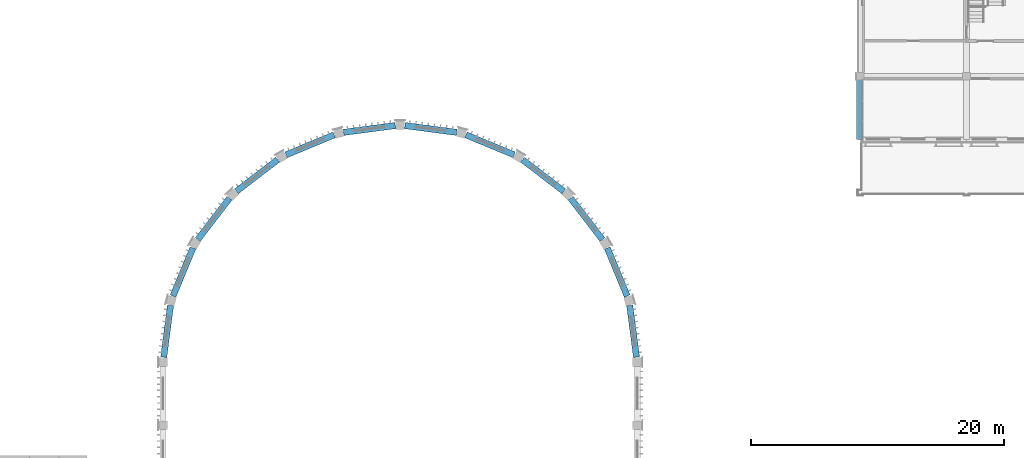
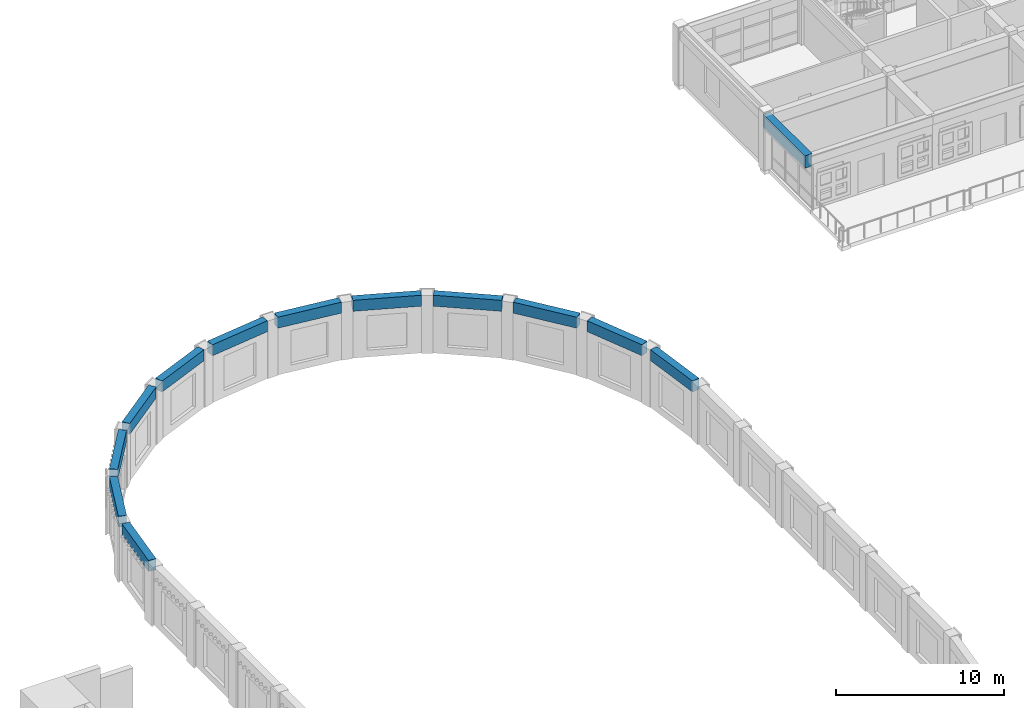
# One storey, part 15 of 71: 13 beams.
"""IFC4 building model written with IfcOpenShell, lengths in metres."""

from ifc_helpers import new_model, si_unit, direction, frame, origin, origin_2d, place, context, subcontext, project, spatial, rectangle, extrude, material, material_profile, profile_set, type_object, element, save


model = new_model("IFC4")

# Units and contexts
model_context = context("Model", 3, precision=1e-05, world=origin(), true_north=direction((0.0, 1.0)))
body_context = subcontext(model_context, "Body", "Model", "MODEL_VIEW")
ifc_project = project(units=[si_unit("LENGTHUNIT", "METRE"), si_unit("AREAUNIT", "SQUARE_METRE"), si_unit("VOLUMEUNIT", "CUBIC_METRE"), si_unit("PLANEANGLEUNIT", "RADIAN"), si_unit("MASSUNIT", "GRAM", prefix="KILO")], contexts=[model_context])

# Site, building, storey
site_placement = place(None, origin())
site = spatial("IfcSite", under=ifc_project, at=site_placement, CompositionType="ELEMENT")
building_placement = place(site_placement, origin())
building = spatial("IfcBuilding", under=site, at=building_placement, Name="Wasatch Bagh Community Centre", CompositionType="ELEMENT")
storey_placement = place(building_placement, frame((0.0, 0.0, 12.60009765625)))
storey = spatial("IfcBuildingStorey", under=building, at=storey_placement, Name="L03", CompositionType="ELEMENT", Elevation=12.60009765625)

# Beams
ifc_material = material(Name="Concrete C35", Category="concrete")
ifc_material_profile_1 = material_profile(ifc_material, rectangle(XDim=0.5, YDim=0.89990234375, at=origin_2d()), Name="RC 500x900")
ifc_profile_set_1 = profile_set([ifc_material_profile_1], Name="Concrete C35")
beam_type_1 = type_object("IfcBeamType", Name="LW RC 500x900", PredefinedType="BEAM", material=ifc_profile_set_1)
beam_placement = place(storey_placement, frame((72.39990234375, 87.60009765625, 3.469970703125), z_axis=(0.0, -1.0, 0.0), x_axis=(1.0, 0.0, 0.0)))
element("IfcBeam", 1, at=beam_placement, inside=storey, type_object=beam_type_1, Name="W2M-tip", PredefinedType="BEAM", context=body_context, shape_type="SweptSolid", body=[
    extrude(rectangle(XDim=0.5, YDim=0.89990234375, at=origin_2d()), origin(), (0.0, 0.0, 1.0), 5.0),
])
ifc_material_profile_2 = material_profile(ifc_material, rectangle(XDim=0.5, YDim=0.800048828125, at=origin_2d()), Name="RC 500x800")
ifc_profile_set_2 = profile_set([ifc_material_profile_2], Name="Concrete C35")
beam_type_2 = type_object("IfcBeamType", Name="MH ring beam RC 500x800", PredefinedType="BEAM", material=ifc_profile_set_2)
for number, where, z_axis, x_axis, name in (
    (2, (54.699462890625, 65.383056640625, 3.7998046875), (-0.130483623501, 0.991450464722, 0.0), (-0.991450464722, -0.130483623501, 0.0), "Ring beam 16.8 E7-N1"),
    (3, (53.963134765625, 70.2099609375, 3.7998046875), (-0.382688328955, 0.923877504262, 0.0), (-0.923877504262, -0.382688328955, 0.0), "Ring beam 16.8 N1-N2"),
    (4, (52.002685546875, 74.681640625, 3.7998046875), (-0.60877717335, 0.793341258985, 0.0), (-0.793341258985, -0.60877717335, 0.0), "Ring beam 16.8 N2-N3"),
    (5, (48.95166015625, 78.493408203125, 3.7998046875), (-0.793341258985, 0.60877717335, 0.0), (-0.60877717335, -0.793341258985, 0.0), "Ring beam 16.8 N3-N4"),
    (6, (45.01806640625, 81.3857421875, 3.7998046875), (-0.923877504262, 0.382688328955, 0.0), (-0.382688328955, -0.923877504262, 0.0), "Ring beam 16.8 N4-N5"),
    (7, (40.4697265625, 83.16162109375, 3.7998046875), (-0.991450464722, 0.130483623501, 0.0), (-0.130483623501, -0.991450464722, 0.0), "Ring beam 16.8 N5-N6"),
    (8, (35.616943359375, 83.699462890625, 3.7998046875), (-0.991450464722, -0.130483623501, 0.0), (0.130483623501, -0.991450464722, 0.0), "Ring beam 16.8 N6-N7"),
    (9, (30.7900390625, 82.963134765625, 3.7998046875), (-0.923877504262, -0.382688328955, 0.0), (0.382688328955, -0.923877504262, 0.0), "Ring beam 16.8 N7-N8"),
    (10, (26.318359375, 81.002685546875, 3.7998046875), (-0.793341258985, -0.60877717335, 0.0), (0.60877717335, -0.793341258985, 0.0), "Ring beam 16.8 N8-N9"),
    (11, (22.506591796875, 77.95166015625, 3.7998046875), (-0.60877717335, -0.793341258985, 0.0), (0.793341258985, -0.60877717335, 0.0), "Ring beam 16.8 N9-N10"),
    (12, (19.6142578125, 74.01806640625, 3.7998046875), (-0.382688328955, -0.923877504262, 0.0), (0.923877504262, -0.382688328955, 0.0), "Ring beam 16.8 N10-N11"),
    (13, (17.83837890625, 69.4697265625, 3.7998046875), (-0.130483623501, -0.991450464722, 0.0), (0.991450464722, -0.130483623501, 0.0), "Ring beam 16.8 N11-W7"),
):
    element("IfcBeam", number, at=place(storey_placement, frame(where, z_axis=z_axis, x_axis=x_axis)), inside=storey, type_object=beam_type_2, Name=name, PredefinedType="BEAM", context=body_context, shape_type="SweptSolid", body=[
        extrude(rectangle(XDim=0.5, YDim=0.800048828125, at=origin_2d()), origin(), (0.0, 0.0, 1.0), 4.121826171875),
    ])

save(model, "model.ifc")
